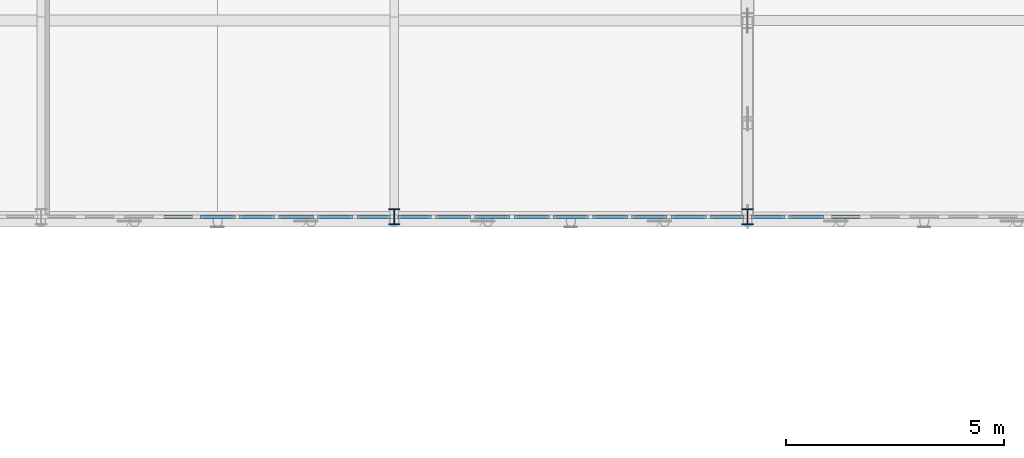
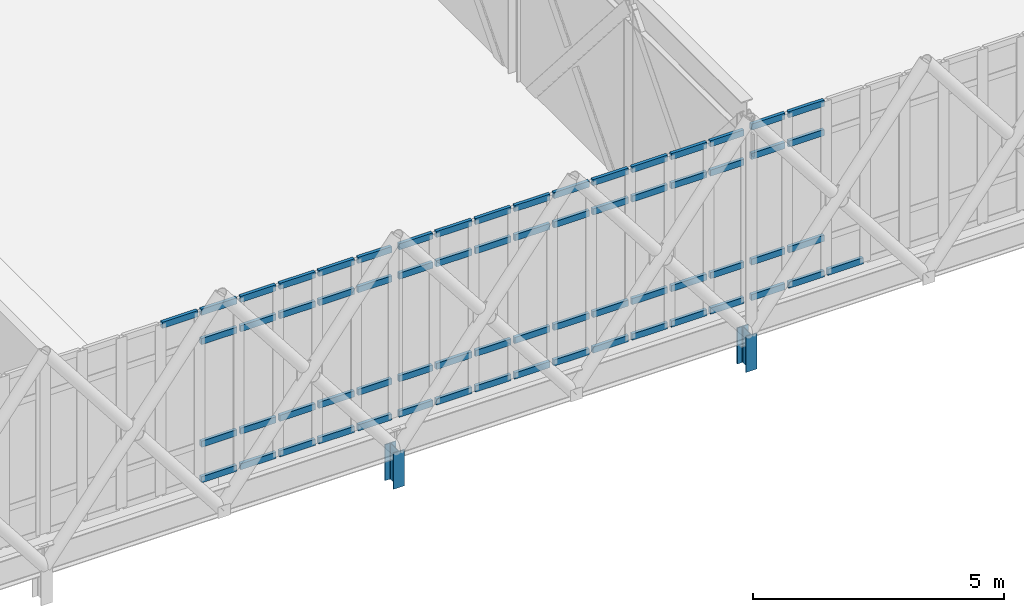
# One storey, part 46 of 107: 68 members, 3 elements without a shape of their own.
"""IFC4 building model written with IfcOpenShell, lengths in metres."""

from ifc_helpers import new_model, si_unit, direction, frame, origin, origin_2d, place, context, subcontext, project, spatial, rectangle, i_section, extrude, material, material_profile, profile_set, type_object, element, aggregate, save


model = new_model("IFC4")

# Units and contexts
model_context = context("Model", 3, precision=1e-05, world=origin(), true_north=direction((0.0, 1.0)))
body_context = subcontext(model_context, "Body", "Model", "MODEL_VIEW")
ifc_project = project(units=[si_unit("LENGTHUNIT", "METRE"), si_unit("AREAUNIT", "SQUARE_METRE"), si_unit("VOLUMEUNIT", "CUBIC_METRE"), si_unit("PLANEANGLEUNIT", "RADIAN"), si_unit("MASSUNIT", "GRAM", prefix="KILO")], contexts=[model_context])

# Site, building, storey
site_placement = place(None, origin())
site = spatial("IfcSite", under=ifc_project, at=site_placement, CompositionType="ELEMENT")
building_placement = place(site_placement, origin())
building = spatial("IfcBuilding", under=site, at=building_placement, Name="Tarnveldt Square Police Headquarters", CompositionType="ELEMENT")
storey_placement = place(building_placement, frame((0.0, 0.0, 14.699951171875)))
storey = spatial("IfcBuildingStorey", under=building, at=storey_placement, Name="L03", CompositionType="ELEMENT", Elevation=14.699951171875)

# Curtain wall, members
ifc_material_1 = material(Name="UL 752 Level III laminated ballistic vision glass", Category="glass")
curtain_wall_type_1 = type_object("IfcCurtainWallType", Name="CW-BL-810x414", PredefinedType="USERDEFINED", material=ifc_material_1)
curtain_wall_1_placement = place(storey_placement, origin())
curtain_wall_1 = element("IfcCurtainWall", 1, at=curtain_wall_1_placement, inside=storey, type_object=curtain_wall_type_1, Name="L03 Curtain Wall CW-L03-026", ObjectType="BALLISTIC CURTAIN WALL", PredefinedType="USERDEFINED")
ifc_material_2 = material(Name="Thermally broken anodised aluminium 6063-T6", Category="aluminium")
ifc_material_profile_1 = material_profile(ifc_material_2, rectangle(XDim=0.074951171875, YDim=0.14990234375, at=origin_2d()), Name="CW-T75x150")
ifc_profile_set_1 = profile_set([ifc_material_profile_1], Name="Thermally broken anodised aluminium 6063-T6")
member_type_1 = type_object("IfcMemberType", Name="CWT-75x150", PredefinedType="USERDEFINED", material=ifc_profile_set_1)
member_1_placement = place(storey_placement, frame((35.142578125, 7.0, 4.1064453125), z_axis=(1.0, 0.0, 0.0), x_axis=(0.0, 1.0, 0.0)))
member_1 = element("IfcMember", 2, at=member_1_placement, type_object=member_type_1, Name="CW-BL13 transom 4.4", ObjectType="TRANSOM", PredefinedType="USERDEFINED", context=body_context, shape_type="SweptSolid", body=[
    extrude(rectangle(XDim=0.074951171875, YDim=0.14990234375, at=origin_2d()), origin(), (0.0, 0.0, 1.0), 0.81494140625),
])
member_2_placement = place(storey_placement, frame((36.04248046875, 7.0, 0.03759765625), z_axis=(1.0, 0.0, 0.0), x_axis=(0.0, 1.0, 0.0)))
member_2 = element("IfcMember", 3, at=member_2_placement, type_object=member_type_1, Name="CW-BL13 transom 5.1", ObjectType="TRANSOM", PredefinedType="USERDEFINED", context=body_context, shape_type="SweptSolid", body=[
    extrude(rectangle(XDim=0.074951171875, YDim=0.14990234375, at=origin_2d()), origin(), (0.0, 0.0, 1.0), 0.81494140625),
])
member_3_placement = place(storey_placement, frame((36.04248046875, 7.0, 0.900146484375), z_axis=(1.0, 0.0, 0.0), x_axis=(0.0, 1.0, 0.0)))
member_3 = element("IfcMember", 4, at=member_3_placement, type_object=member_type_1, Name="CW-BL13 transom 5.2", ObjectType="TRANSOM", PredefinedType="USERDEFINED", context=body_context, shape_type="SweptSolid", body=[
    extrude(rectangle(XDim=0.074951171875, YDim=0.14990234375, at=origin_2d()), origin(), (0.0, 0.0, 1.0), 0.81494140625),
])
member_4_placement = place(storey_placement, frame((36.04248046875, 7.0, 3.39404296875), z_axis=(1.0, 0.0, 0.0), x_axis=(0.0, 1.0, 0.0)))
member_4 = element("IfcMember", 5, at=member_4_placement, type_object=member_type_1, Name="CW-BL13 transom 5.3", ObjectType="TRANSOM", PredefinedType="USERDEFINED", context=body_context, shape_type="SweptSolid", body=[
    extrude(rectangle(XDim=0.074951171875, YDim=0.14990234375, at=origin_2d()), origin(), (0.0, 0.0, 1.0), 0.81494140625),
])
member_5_placement = place(storey_placement, frame((36.04248046875, 7.0, 4.1064453125), z_axis=(1.0, 0.0, 0.0), x_axis=(0.0, 1.0, 0.0)))
member_5 = element("IfcMember", 6, at=member_5_placement, type_object=member_type_1, Name="CW-BL13 transom 5.4", ObjectType="TRANSOM", PredefinedType="USERDEFINED", context=body_context, shape_type="SweptSolid", body=[
    extrude(rectangle(XDim=0.074951171875, YDim=0.14990234375, at=origin_2d()), origin(), (0.0, 0.0, 1.0), 0.81494140625),
])
member_6_placement = place(storey_placement, frame((36.9423828125, 7.0, 0.03759765625), z_axis=(1.0, 0.0, 0.0), x_axis=(0.0, 1.0, 0.0)))
member_6 = element("IfcMember", 7, at=member_6_placement, type_object=member_type_1, Name="CW-BL13 transom 6.1", ObjectType="TRANSOM", PredefinedType="USERDEFINED", context=body_context, shape_type="SweptSolid", body=[
    extrude(rectangle(XDim=0.074951171875, YDim=0.14990234375, at=origin_2d()), origin(), (0.0, 0.0, 1.0), 0.815185546875),
])
member_7_placement = place(storey_placement, frame((36.9423828125, 7.0, 0.900146484375), z_axis=(1.0, 0.0, 0.0), x_axis=(0.0, 1.0, 0.0)))
member_7 = element("IfcMember", 8, at=member_7_placement, type_object=member_type_1, Name="CW-BL13 transom 6.2", ObjectType="TRANSOM", PredefinedType="USERDEFINED", context=body_context, shape_type="SweptSolid", body=[
    extrude(rectangle(XDim=0.074951171875, YDim=0.14990234375, at=origin_2d()), origin(), (0.0, 0.0, 1.0), 0.815185546875),
])
member_8_placement = place(storey_placement, frame((36.9423828125, 7.0, 3.39404296875), z_axis=(1.0, 0.0, 0.0), x_axis=(0.0, 1.0, 0.0)))
member_8 = element("IfcMember", 9, at=member_8_placement, type_object=member_type_1, Name="CW-BL13 transom 6.3", ObjectType="TRANSOM", PredefinedType="USERDEFINED", context=body_context, shape_type="SweptSolid", body=[
    extrude(rectangle(XDim=0.074951171875, YDim=0.14990234375, at=origin_2d()), origin(), (0.0, 0.0, 1.0), 0.815185546875),
])
member_9_placement = place(storey_placement, frame((36.9423828125, 7.0, 4.1064453125), z_axis=(1.0, 0.0, 0.0), x_axis=(0.0, 1.0, 0.0)))
member_9 = element("IfcMember", 10, at=member_9_placement, type_object=member_type_1, Name="CW-BL13 transom 6.4", ObjectType="TRANSOM", PredefinedType="USERDEFINED", context=body_context, shape_type="SweptSolid", body=[
    extrude(rectangle(XDim=0.074951171875, YDim=0.14990234375, at=origin_2d()), origin(), (0.0, 0.0, 1.0), 0.815185546875),
])
member_10_placement = place(storey_placement, frame((37.842529296875, 7.0, 0.03759765625), z_axis=(1.0, 0.0, 0.0), x_axis=(0.0, 1.0, 0.0)))
member_10 = element("IfcMember", 11, at=member_10_placement, type_object=member_type_1, Name="CW-BL13 transom 7.1", ObjectType="TRANSOM", PredefinedType="USERDEFINED", context=body_context, shape_type="SweptSolid", body=[
    extrude(rectangle(XDim=0.074951171875, YDim=0.14990234375, at=origin_2d()), origin(), (0.0, 0.0, 1.0), 0.81494140625),
])
member_11_placement = place(storey_placement, frame((37.842529296875, 7.0, 0.900146484375), z_axis=(1.0, 0.0, 0.0), x_axis=(0.0, 1.0, 0.0)))
member_11 = element("IfcMember", 12, at=member_11_placement, type_object=member_type_1, Name="CW-BL13 transom 7.2", ObjectType="TRANSOM", PredefinedType="USERDEFINED", context=body_context, shape_type="SweptSolid", body=[
    extrude(rectangle(XDim=0.074951171875, YDim=0.14990234375, at=origin_2d()), origin(), (0.0, 0.0, 1.0), 0.81494140625),
])
member_12_placement = place(storey_placement, frame((37.842529296875, 7.0, 3.39404296875), z_axis=(1.0, 0.0, 0.0), x_axis=(0.0, 1.0, 0.0)))
member_12 = element("IfcMember", 13, at=member_12_placement, type_object=member_type_1, Name="CW-BL13 transom 7.3", ObjectType="TRANSOM", PredefinedType="USERDEFINED", context=body_context, shape_type="SweptSolid", body=[
    extrude(rectangle(XDim=0.074951171875, YDim=0.14990234375, at=origin_2d()), origin(), (0.0, 0.0, 1.0), 0.81494140625),
])
member_13_placement = place(storey_placement, frame((37.842529296875, 7.0, 4.1064453125), z_axis=(1.0, 0.0, 0.0), x_axis=(0.0, 1.0, 0.0)))
member_13 = element("IfcMember", 14, at=member_13_placement, type_object=member_type_1, Name="CW-BL13 transom 7.4", ObjectType="TRANSOM", PredefinedType="USERDEFINED", context=body_context, shape_type="SweptSolid", body=[
    extrude(rectangle(XDim=0.074951171875, YDim=0.14990234375, at=origin_2d()), origin(), (0.0, 0.0, 1.0), 0.81494140625),
])
member_14_placement = place(storey_placement, frame((38.742431640625, 7.0, 0.03759765625), z_axis=(1.0, 0.0, 0.0), x_axis=(0.0, 1.0, 0.0)))
member_14 = element("IfcMember", 15, at=member_14_placement, type_object=member_type_1, Name="CW-BL13 transom 8.1", ObjectType="TRANSOM", PredefinedType="USERDEFINED", context=body_context, shape_type="SweptSolid", body=[
    extrude(rectangle(XDim=0.074951171875, YDim=0.14990234375, at=origin_2d()), origin(), (0.0, 0.0, 1.0), 0.815185546875),
])
member_15_placement = place(storey_placement, frame((38.742431640625, 7.0, 0.900146484375), z_axis=(1.0, 0.0, 0.0), x_axis=(0.0, 1.0, 0.0)))
member_15 = element("IfcMember", 16, at=member_15_placement, type_object=member_type_1, Name="CW-BL13 transom 8.2", ObjectType="TRANSOM", PredefinedType="USERDEFINED", context=body_context, shape_type="SweptSolid", body=[
    extrude(rectangle(XDim=0.074951171875, YDim=0.14990234375, at=origin_2d()), origin(), (0.0, 0.0, 1.0), 0.815185546875),
])
member_16_placement = place(storey_placement, frame((38.742431640625, 7.0, 3.39404296875), z_axis=(1.0, 0.0, 0.0), x_axis=(0.0, 1.0, 0.0)))
member_16 = element("IfcMember", 17, at=member_16_placement, type_object=member_type_1, Name="CW-BL13 transom 8.3", ObjectType="TRANSOM", PredefinedType="USERDEFINED", context=body_context, shape_type="SweptSolid", body=[
    extrude(rectangle(XDim=0.074951171875, YDim=0.14990234375, at=origin_2d()), origin(), (0.0, 0.0, 1.0), 0.815185546875),
])
member_17_placement = place(storey_placement, frame((38.742431640625, 7.0, 4.1064453125), z_axis=(1.0, 0.0, 0.0), x_axis=(0.0, 1.0, 0.0)))
member_17 = element("IfcMember", 18, at=member_17_placement, type_object=member_type_1, Name="CW-BL13 transom 8.4", ObjectType="TRANSOM", PredefinedType="USERDEFINED", context=body_context, shape_type="SweptSolid", body=[
    extrude(rectangle(XDim=0.074951171875, YDim=0.14990234375, at=origin_2d()), origin(), (0.0, 0.0, 1.0), 0.815185546875),
])
member_18_placement = place(storey_placement, frame((39.642578125, 7.0, 0.03759765625), z_axis=(1.0, 0.0, 0.0), x_axis=(0.0, 1.0, 0.0)))
member_18 = element("IfcMember", 19, at=member_18_placement, type_object=member_type_1, Name="CW-BL13 transom 9.1", ObjectType="TRANSOM", PredefinedType="USERDEFINED", context=body_context, shape_type="SweptSolid", body=[
    extrude(rectangle(XDim=0.074951171875, YDim=0.14990234375, at=origin_2d()), origin(), (0.0, 0.0, 1.0), 0.7724609375),
])
member_19_placement = place(storey_placement, frame((39.642578125, 7.0, 0.900146484375), z_axis=(1.0, 0.0, 0.0), x_axis=(0.0, 1.0, 0.0)))
member_19 = element("IfcMember", 20, at=member_19_placement, type_object=member_type_1, Name="CW-BL13 transom 9.2", ObjectType="TRANSOM", PredefinedType="USERDEFINED", context=body_context, shape_type="SweptSolid", body=[
    extrude(rectangle(XDim=0.074951171875, YDim=0.14990234375, at=origin_2d()), origin(), (0.0, 0.0, 1.0), 0.7724609375),
])
member_20_placement = place(storey_placement, frame((39.642578125, 7.0, 3.39404296875), z_axis=(1.0, 0.0, 0.0), x_axis=(0.0, 1.0, 0.0)))
member_20 = element("IfcMember", 21, at=member_20_placement, type_object=member_type_1, Name="CW-BL13 transom 9.3", ObjectType="TRANSOM", PredefinedType="USERDEFINED", context=body_context, shape_type="SweptSolid", body=[
    extrude(rectangle(XDim=0.074951171875, YDim=0.14990234375, at=origin_2d()), origin(), (0.0, 0.0, 1.0), 0.7724609375),
])
member_21_placement = place(storey_placement, frame((39.642578125, 7.0, 4.1064453125), z_axis=(1.0, 0.0, 0.0), x_axis=(0.0, 1.0, 0.0)))
member_21 = element("IfcMember", 22, at=member_21_placement, type_object=member_type_1, Name="CW-BL13 transom 9.4", ObjectType="TRANSOM", PredefinedType="USERDEFINED", context=body_context, shape_type="SweptSolid", body=[
    extrude(rectangle(XDim=0.074951171875, YDim=0.14990234375, at=origin_2d()), origin(), (0.0, 0.0, 1.0), 0.7724609375),
])
aggregate(curtain_wall_1, [member_1, member_2, member_3, member_4, member_5, member_6, member_7, member_8, member_9, member_10, member_11, member_12, member_13, member_14, member_15, member_16, member_17, member_18, member_19, member_20, member_21])

curtain_wall_2_placement = place(storey_placement, origin())
curtain_wall_2 = element("IfcCurtainWall", 23, at=curtain_wall_2_placement, inside=storey, type_object=curtain_wall_type_1, Name="L03 Curtain Wall CW-L03-027", ObjectType="BALLISTIC CURTAIN WALL", PredefinedType="USERDEFINED")
member_22_placement = place(storey_placement, frame((40.5849609375, 7.0, 0.03759765625), z_axis=(1.0, 0.0, 0.0), x_axis=(0.0, 1.0, 0.0)))
member_22 = element("IfcMember", 24, at=member_22_placement, type_object=member_type_1, Name="CW-BL13 transom 1.1", ObjectType="TRANSOM", PredefinedType="USERDEFINED", context=body_context, shape_type="SweptSolid", body=[
    extrude(rectangle(XDim=0.074951171875, YDim=0.14990234375, at=origin_2d()), origin(), (0.0, 0.0, 1.0), 0.7724609375),
])
member_23_placement = place(storey_placement, frame((40.5849609375, 7.0, 0.900146484375), z_axis=(1.0, 0.0, 0.0), x_axis=(0.0, 1.0, 0.0)))
member_23 = element("IfcMember", 25, at=member_23_placement, type_object=member_type_1, Name="CW-BL13 transom 1.2", ObjectType="TRANSOM", PredefinedType="USERDEFINED", context=body_context, shape_type="SweptSolid", body=[
    extrude(rectangle(XDim=0.074951171875, YDim=0.14990234375, at=origin_2d()), origin(), (0.0, 0.0, 1.0), 0.7724609375),
])
member_24_placement = place(storey_placement, frame((40.5849609375, 7.0, 3.39404296875), z_axis=(1.0, 0.0, 0.0), x_axis=(0.0, 1.0, 0.0)))
member_24 = element("IfcMember", 26, at=member_24_placement, type_object=member_type_1, Name="CW-BL13 transom 1.3", ObjectType="TRANSOM", PredefinedType="USERDEFINED", context=body_context, shape_type="SweptSolid", body=[
    extrude(rectangle(XDim=0.074951171875, YDim=0.14990234375, at=origin_2d()), origin(), (0.0, 0.0, 1.0), 0.7724609375),
])
member_25_placement = place(storey_placement, frame((40.5849609375, 7.0, 4.1064453125), z_axis=(1.0, 0.0, 0.0), x_axis=(0.0, 1.0, 0.0)))
member_25 = element("IfcMember", 27, at=member_25_placement, type_object=member_type_1, Name="CW-BL13 transom 1.4", ObjectType="TRANSOM", PredefinedType="USERDEFINED", context=body_context, shape_type="SweptSolid", body=[
    extrude(rectangle(XDim=0.074951171875, YDim=0.14990234375, at=origin_2d()), origin(), (0.0, 0.0, 1.0), 0.7724609375),
])
member_26_placement = place(storey_placement, frame((41.4423828125, 7.0, 0.03759765625), z_axis=(1.0, 0.0, 0.0), x_axis=(0.0, 1.0, 0.0)))
member_26 = element("IfcMember", 28, at=member_26_placement, type_object=member_type_1, Name="CW-BL13 transom 2.1", ObjectType="TRANSOM", PredefinedType="USERDEFINED", context=body_context, shape_type="SweptSolid", body=[
    extrude(rectangle(XDim=0.074951171875, YDim=0.14990234375, at=origin_2d()), origin(), (0.0, 0.0, 1.0), 0.815185546875),
])
member_27_placement = place(storey_placement, frame((41.4423828125, 7.0, 0.900146484375), z_axis=(1.0, 0.0, 0.0), x_axis=(0.0, 1.0, 0.0)))
member_27 = element("IfcMember", 29, at=member_27_placement, type_object=member_type_1, Name="CW-BL13 transom 2.2", ObjectType="TRANSOM", PredefinedType="USERDEFINED", context=body_context, shape_type="SweptSolid", body=[
    extrude(rectangle(XDim=0.074951171875, YDim=0.14990234375, at=origin_2d()), origin(), (0.0, 0.0, 1.0), 0.815185546875),
])
member_28_placement = place(storey_placement, frame((41.4423828125, 7.0, 3.39404296875), z_axis=(1.0, 0.0, 0.0), x_axis=(0.0, 1.0, 0.0)))
member_28 = element("IfcMember", 30, at=member_28_placement, type_object=member_type_1, Name="CW-BL13 transom 2.3", ObjectType="TRANSOM", PredefinedType="USERDEFINED", context=body_context, shape_type="SweptSolid", body=[
    extrude(rectangle(XDim=0.074951171875, YDim=0.14990234375, at=origin_2d()), origin(), (0.0, 0.0, 1.0), 0.815185546875),
])
member_29_placement = place(storey_placement, frame((41.4423828125, 7.0, 4.1064453125), z_axis=(1.0, 0.0, 0.0), x_axis=(0.0, 1.0, 0.0)))
member_29 = element("IfcMember", 31, at=member_29_placement, type_object=member_type_1, Name="CW-BL13 transom 2.4", ObjectType="TRANSOM", PredefinedType="USERDEFINED", context=body_context, shape_type="SweptSolid", body=[
    extrude(rectangle(XDim=0.074951171875, YDim=0.14990234375, at=origin_2d()), origin(), (0.0, 0.0, 1.0), 0.815185546875),
])
member_30_placement = place(storey_placement, frame((42.342529296875, 7.0, 0.03759765625), z_axis=(1.0, 0.0, 0.0), x_axis=(0.0, 1.0, 0.0)))
member_30 = element("IfcMember", 32, at=member_30_placement, type_object=member_type_1, Name="CW-BL13 transom 3.1", ObjectType="TRANSOM", PredefinedType="USERDEFINED", context=body_context, shape_type="SweptSolid", body=[
    extrude(rectangle(XDim=0.074951171875, YDim=0.14990234375, at=origin_2d()), origin(), (0.0, 0.0, 1.0), 0.81494140625),
])
member_31_placement = place(storey_placement, frame((42.342529296875, 7.0, 0.900146484375), z_axis=(1.0, 0.0, 0.0), x_axis=(0.0, 1.0, 0.0)))
member_31 = element("IfcMember", 33, at=member_31_placement, type_object=member_type_1, Name="CW-BL13 transom 3.2", ObjectType="TRANSOM", PredefinedType="USERDEFINED", context=body_context, shape_type="SweptSolid", body=[
    extrude(rectangle(XDim=0.074951171875, YDim=0.14990234375, at=origin_2d()), origin(), (0.0, 0.0, 1.0), 0.81494140625),
])
member_32_placement = place(storey_placement, frame((42.342529296875, 7.0, 3.39404296875), z_axis=(1.0, 0.0, 0.0), x_axis=(0.0, 1.0, 0.0)))
member_32 = element("IfcMember", 34, at=member_32_placement, type_object=member_type_1, Name="CW-BL13 transom 3.3", ObjectType="TRANSOM", PredefinedType="USERDEFINED", context=body_context, shape_type="SweptSolid", body=[
    extrude(rectangle(XDim=0.074951171875, YDim=0.14990234375, at=origin_2d()), origin(), (0.0, 0.0, 1.0), 0.81494140625),
])
member_33_placement = place(storey_placement, frame((42.342529296875, 7.0, 4.1064453125), z_axis=(1.0, 0.0, 0.0), x_axis=(0.0, 1.0, 0.0)))
member_33 = element("IfcMember", 35, at=member_33_placement, type_object=member_type_1, Name="CW-BL13 transom 3.4", ObjectType="TRANSOM", PredefinedType="USERDEFINED", context=body_context, shape_type="SweptSolid", body=[
    extrude(rectangle(XDim=0.074951171875, YDim=0.14990234375, at=origin_2d()), origin(), (0.0, 0.0, 1.0), 0.81494140625),
])
member_34_placement = place(storey_placement, frame((43.242431640625, 7.0, 0.03759765625), z_axis=(1.0, 0.0, 0.0), x_axis=(0.0, 1.0, 0.0)))
member_34 = element("IfcMember", 36, at=member_34_placement, type_object=member_type_1, Name="CW-BL13 transom 4.1", ObjectType="TRANSOM", PredefinedType="USERDEFINED", context=body_context, shape_type="SweptSolid", body=[
    extrude(rectangle(XDim=0.074951171875, YDim=0.14990234375, at=origin_2d()), origin(), (0.0, 0.0, 1.0), 0.815185546875),
])
member_35_placement = place(storey_placement, frame((43.242431640625, 7.0, 0.900146484375), z_axis=(1.0, 0.0, 0.0), x_axis=(0.0, 1.0, 0.0)))
member_35 = element("IfcMember", 37, at=member_35_placement, type_object=member_type_1, Name="CW-BL13 transom 4.2", ObjectType="TRANSOM", PredefinedType="USERDEFINED", context=body_context, shape_type="SweptSolid", body=[
    extrude(rectangle(XDim=0.074951171875, YDim=0.14990234375, at=origin_2d()), origin(), (0.0, 0.0, 1.0), 0.815185546875),
])
member_36_placement = place(storey_placement, frame((43.242431640625, 7.0, 3.39404296875), z_axis=(1.0, 0.0, 0.0), x_axis=(0.0, 1.0, 0.0)))
member_36 = element("IfcMember", 38, at=member_36_placement, type_object=member_type_1, Name="CW-BL13 transom 4.3", ObjectType="TRANSOM", PredefinedType="USERDEFINED", context=body_context, shape_type="SweptSolid", body=[
    extrude(rectangle(XDim=0.074951171875, YDim=0.14990234375, at=origin_2d()), origin(), (0.0, 0.0, 1.0), 0.815185546875),
])
member_37_placement = place(storey_placement, frame((43.242431640625, 7.0, 4.1064453125), z_axis=(1.0, 0.0, 0.0), x_axis=(0.0, 1.0, 0.0)))
member_37 = element("IfcMember", 39, at=member_37_placement, type_object=member_type_1, Name="CW-BL13 transom 4.4", ObjectType="TRANSOM", PredefinedType="USERDEFINED", context=body_context, shape_type="SweptSolid", body=[
    extrude(rectangle(XDim=0.074951171875, YDim=0.14990234375, at=origin_2d()), origin(), (0.0, 0.0, 1.0), 0.815185546875),
])
member_38_placement = place(storey_placement, frame((44.142578125, 7.0, 0.03759765625), z_axis=(1.0, 0.0, 0.0), x_axis=(0.0, 1.0, 0.0)))
member_38 = element("IfcMember", 40, at=member_38_placement, type_object=member_type_1, Name="CW-BL13 transom 5.1", ObjectType="TRANSOM", PredefinedType="USERDEFINED", context=body_context, shape_type="SweptSolid", body=[
    extrude(rectangle(XDim=0.074951171875, YDim=0.14990234375, at=origin_2d()), origin(), (0.0, 0.0, 1.0), 0.81494140625),
])
member_39_placement = place(storey_placement, frame((44.142578125, 7.0, 0.900146484375), z_axis=(1.0, 0.0, 0.0), x_axis=(0.0, 1.0, 0.0)))
member_39 = element("IfcMember", 41, at=member_39_placement, type_object=member_type_1, Name="CW-BL13 transom 5.2", ObjectType="TRANSOM", PredefinedType="USERDEFINED", context=body_context, shape_type="SweptSolid", body=[
    extrude(rectangle(XDim=0.074951171875, YDim=0.14990234375, at=origin_2d()), origin(), (0.0, 0.0, 1.0), 0.81494140625),
])
member_40_placement = place(storey_placement, frame((44.142578125, 7.0, 3.39404296875), z_axis=(1.0, 0.0, 0.0), x_axis=(0.0, 1.0, 0.0)))
member_40 = element("IfcMember", 42, at=member_40_placement, type_object=member_type_1, Name="CW-BL13 transom 5.3", ObjectType="TRANSOM", PredefinedType="USERDEFINED", context=body_context, shape_type="SweptSolid", body=[
    extrude(rectangle(XDim=0.074951171875, YDim=0.14990234375, at=origin_2d()), origin(), (0.0, 0.0, 1.0), 0.81494140625),
])
member_41_placement = place(storey_placement, frame((44.142578125, 7.0, 4.1064453125), z_axis=(1.0, 0.0, 0.0), x_axis=(0.0, 1.0, 0.0)))
member_41 = element("IfcMember", 43, at=member_41_placement, type_object=member_type_1, Name="CW-BL13 transom 5.4", ObjectType="TRANSOM", PredefinedType="USERDEFINED", context=body_context, shape_type="SweptSolid", body=[
    extrude(rectangle(XDim=0.074951171875, YDim=0.14990234375, at=origin_2d()), origin(), (0.0, 0.0, 1.0), 0.81494140625),
])
member_42_placement = place(storey_placement, frame((45.04248046875, 7.0, 0.03759765625), z_axis=(1.0, 0.0, 0.0), x_axis=(0.0, 1.0, 0.0)))
member_42 = element("IfcMember", 44, at=member_42_placement, type_object=member_type_1, Name="CW-BL13 transom 6.1", ObjectType="TRANSOM", PredefinedType="USERDEFINED", context=body_context, shape_type="SweptSolid", body=[
    extrude(rectangle(XDim=0.074951171875, YDim=0.14990234375, at=origin_2d()), origin(), (0.0, 0.0, 1.0), 0.81494140625),
])
member_43_placement = place(storey_placement, frame((45.04248046875, 7.0, 0.900146484375), z_axis=(1.0, 0.0, 0.0), x_axis=(0.0, 1.0, 0.0)))
member_43 = element("IfcMember", 45, at=member_43_placement, type_object=member_type_1, Name="CW-BL13 transom 6.2", ObjectType="TRANSOM", PredefinedType="USERDEFINED", context=body_context, shape_type="SweptSolid", body=[
    extrude(rectangle(XDim=0.074951171875, YDim=0.14990234375, at=origin_2d()), origin(), (0.0, 0.0, 1.0), 0.81494140625),
])
member_44_placement = place(storey_placement, frame((45.04248046875, 7.0, 3.39404296875), z_axis=(1.0, 0.0, 0.0), x_axis=(0.0, 1.0, 0.0)))
member_44 = element("IfcMember", 46, at=member_44_placement, type_object=member_type_1, Name="CW-BL13 transom 6.3", ObjectType="TRANSOM", PredefinedType="USERDEFINED", context=body_context, shape_type="SweptSolid", body=[
    extrude(rectangle(XDim=0.074951171875, YDim=0.14990234375, at=origin_2d()), origin(), (0.0, 0.0, 1.0), 0.81494140625),
])
member_45_placement = place(storey_placement, frame((45.04248046875, 7.0, 4.1064453125), z_axis=(1.0, 0.0, 0.0), x_axis=(0.0, 1.0, 0.0)))
member_45 = element("IfcMember", 47, at=member_45_placement, type_object=member_type_1, Name="CW-BL13 transom 6.4", ObjectType="TRANSOM", PredefinedType="USERDEFINED", context=body_context, shape_type="SweptSolid", body=[
    extrude(rectangle(XDim=0.074951171875, YDim=0.14990234375, at=origin_2d()), origin(), (0.0, 0.0, 1.0), 0.81494140625),
])
member_46_placement = place(storey_placement, frame((45.9423828125, 7.0, 0.03759765625), z_axis=(1.0, 0.0, 0.0), x_axis=(0.0, 1.0, 0.0)))
member_46 = element("IfcMember", 48, at=member_46_placement, type_object=member_type_1, Name="CW-BL13 transom 7.1", ObjectType="TRANSOM", PredefinedType="USERDEFINED", context=body_context, shape_type="SweptSolid", body=[
    extrude(rectangle(XDim=0.074951171875, YDim=0.14990234375, at=origin_2d()), origin(), (0.0, 0.0, 1.0), 0.815185546875),
])
member_47_placement = place(storey_placement, frame((45.9423828125, 7.0, 0.900146484375), z_axis=(1.0, 0.0, 0.0), x_axis=(0.0, 1.0, 0.0)))
member_47 = element("IfcMember", 49, at=member_47_placement, type_object=member_type_1, Name="CW-BL13 transom 7.2", ObjectType="TRANSOM", PredefinedType="USERDEFINED", context=body_context, shape_type="SweptSolid", body=[
    extrude(rectangle(XDim=0.074951171875, YDim=0.14990234375, at=origin_2d()), origin(), (0.0, 0.0, 1.0), 0.815185546875),
])
member_48_placement = place(storey_placement, frame((45.9423828125, 7.0, 3.39404296875), z_axis=(1.0, 0.0, 0.0), x_axis=(0.0, 1.0, 0.0)))
member_48 = element("IfcMember", 50, at=member_48_placement, type_object=member_type_1, Name="CW-BL13 transom 7.3", ObjectType="TRANSOM", PredefinedType="USERDEFINED", context=body_context, shape_type="SweptSolid", body=[
    extrude(rectangle(XDim=0.074951171875, YDim=0.14990234375, at=origin_2d()), origin(), (0.0, 0.0, 1.0), 0.815185546875),
])
member_49_placement = place(storey_placement, frame((45.9423828125, 7.0, 4.1064453125), z_axis=(1.0, 0.0, 0.0), x_axis=(0.0, 1.0, 0.0)))
member_49 = element("IfcMember", 51, at=member_49_placement, type_object=member_type_1, Name="CW-BL13 transom 7.4", ObjectType="TRANSOM", PredefinedType="USERDEFINED", context=body_context, shape_type="SweptSolid", body=[
    extrude(rectangle(XDim=0.074951171875, YDim=0.14990234375, at=origin_2d()), origin(), (0.0, 0.0, 1.0), 0.815185546875),
])
member_50_placement = place(storey_placement, frame((46.842529296875, 7.0, 0.03759765625), z_axis=(1.0, 0.0, 0.0), x_axis=(0.0, 1.0, 0.0)))
member_50 = element("IfcMember", 52, at=member_50_placement, type_object=member_type_1, Name="CW-BL13 transom 8.1", ObjectType="TRANSOM", PredefinedType="USERDEFINED", context=body_context, shape_type="SweptSolid", body=[
    extrude(rectangle(XDim=0.074951171875, YDim=0.14990234375, at=origin_2d()), origin(), (0.0, 0.0, 1.0), 0.81494140625),
])
member_51_placement = place(storey_placement, frame((46.842529296875, 7.0, 0.900146484375), z_axis=(1.0, 0.0, 0.0), x_axis=(0.0, 1.0, 0.0)))
member_51 = element("IfcMember", 53, at=member_51_placement, type_object=member_type_1, Name="CW-BL13 transom 8.2", ObjectType="TRANSOM", PredefinedType="USERDEFINED", context=body_context, shape_type="SweptSolid", body=[
    extrude(rectangle(XDim=0.074951171875, YDim=0.14990234375, at=origin_2d()), origin(), (0.0, 0.0, 1.0), 0.81494140625),
])
member_52_placement = place(storey_placement, frame((46.842529296875, 7.0, 3.39404296875), z_axis=(1.0, 0.0, 0.0), x_axis=(0.0, 1.0, 0.0)))
member_52 = element("IfcMember", 54, at=member_52_placement, type_object=member_type_1, Name="CW-BL13 transom 8.3", ObjectType="TRANSOM", PredefinedType="USERDEFINED", context=body_context, shape_type="SweptSolid", body=[
    extrude(rectangle(XDim=0.074951171875, YDim=0.14990234375, at=origin_2d()), origin(), (0.0, 0.0, 1.0), 0.81494140625),
])
member_53_placement = place(storey_placement, frame((46.842529296875, 7.0, 4.1064453125), z_axis=(1.0, 0.0, 0.0), x_axis=(0.0, 1.0, 0.0)))
member_53 = element("IfcMember", 55, at=member_53_placement, type_object=member_type_1, Name="CW-BL13 transom 8.4", ObjectType="TRANSOM", PredefinedType="USERDEFINED", context=body_context, shape_type="SweptSolid", body=[
    extrude(rectangle(XDim=0.074951171875, YDim=0.14990234375, at=origin_2d()), origin(), (0.0, 0.0, 1.0), 0.81494140625),
])
member_54_placement = place(storey_placement, frame((47.742431640625, 7.0, 0.03759765625), z_axis=(1.0, 0.0, 0.0), x_axis=(0.0, 1.0, 0.0)))
member_54 = element("IfcMember", 56, at=member_54_placement, type_object=member_type_1, Name="CW-BL13 transom 9.1", ObjectType="TRANSOM", PredefinedType="USERDEFINED", context=body_context, shape_type="SweptSolid", body=[
    extrude(rectangle(XDim=0.074951171875, YDim=0.14990234375, at=origin_2d()), origin(), (0.0, 0.0, 1.0), 0.7724609375),
])
member_55_placement = place(storey_placement, frame((47.742431640625, 7.0, 0.900146484375), z_axis=(1.0, 0.0, 0.0), x_axis=(0.0, 1.0, 0.0)))
member_55 = element("IfcMember", 57, at=member_55_placement, type_object=member_type_1, Name="CW-BL13 transom 9.2", ObjectType="TRANSOM", PredefinedType="USERDEFINED", context=body_context, shape_type="SweptSolid", body=[
    extrude(rectangle(XDim=0.074951171875, YDim=0.14990234375, at=origin_2d()), origin(), (0.0, 0.0, 1.0), 0.7724609375),
])
member_56_placement = place(storey_placement, frame((47.742431640625, 7.0, 3.39404296875), z_axis=(1.0, 0.0, 0.0), x_axis=(0.0, 1.0, 0.0)))
member_56 = element("IfcMember", 58, at=member_56_placement, type_object=member_type_1, Name="CW-BL13 transom 9.3", ObjectType="TRANSOM", PredefinedType="USERDEFINED", context=body_context, shape_type="SweptSolid", body=[
    extrude(rectangle(XDim=0.074951171875, YDim=0.14990234375, at=origin_2d()), origin(), (0.0, 0.0, 1.0), 0.7724609375),
])
member_57_placement = place(storey_placement, frame((47.742431640625, 7.0, 4.1064453125), z_axis=(1.0, 0.0, 0.0), x_axis=(0.0, 1.0, 0.0)))
member_57 = element("IfcMember", 59, at=member_57_placement, type_object=member_type_1, Name="CW-BL13 transom 9.4", ObjectType="TRANSOM", PredefinedType="USERDEFINED", context=body_context, shape_type="SweptSolid", body=[
    extrude(rectangle(XDim=0.074951171875, YDim=0.14990234375, at=origin_2d()), origin(), (0.0, 0.0, 1.0), 0.7724609375),
])
aggregate(curtain_wall_2, [member_22, member_23, member_24, member_25, member_26, member_27, member_28, member_29, member_30, member_31, member_32, member_33, member_34, member_35, member_36, member_37, member_38, member_39, member_40, member_41, member_42, member_43, member_44, member_45, member_46, member_47, member_48, member_49, member_50, member_51, member_52, member_53, member_54, member_55, member_56, member_57])

curtain_wall_type_2 = type_object("IfcCurtainWallType", Name="CW-BL-810x422", PredefinedType="USERDEFINED", material=ifc_material_1)
curtain_wall_3_placement = place(storey_placement, origin())
curtain_wall_3 = element("IfcCurtainWall", 60, at=curtain_wall_3_placement, inside=storey, type_object=curtain_wall_type_2, Name="L03 Curtain Wall CW-L03-028", ObjectType="BALLISTIC CURTAIN WALL", PredefinedType="USERDEFINED")
member_58_placement = place(storey_placement, frame((48.68505859375, 7.0, 0.03759765625), z_axis=(1.0, 0.0, 0.0), x_axis=(0.0, 1.0, 0.0)))
member_58 = element("IfcMember", 61, at=member_58_placement, type_object=member_type_1, Name="CW-BL12 transom 1.1", ObjectType="TRANSOM", PredefinedType="USERDEFINED", context=body_context, shape_type="SweptSolid", body=[
    extrude(rectangle(XDim=0.074951171875, YDim=0.14990234375, at=origin_2d()), origin(), (0.0, 0.0, 1.0), 0.7724609375),
])
member_59_placement = place(storey_placement, frame((48.68505859375, 7.0, 0.900146484375), z_axis=(1.0, 0.0, 0.0), x_axis=(0.0, 1.0, 0.0)))
member_59 = element("IfcMember", 62, at=member_59_placement, type_object=member_type_1, Name="CW-BL12 transom 1.2", ObjectType="TRANSOM", PredefinedType="USERDEFINED", context=body_context, shape_type="SweptSolid", body=[
    extrude(rectangle(XDim=0.074951171875, YDim=0.14990234375, at=origin_2d()), origin(), (0.0, 0.0, 1.0), 0.7724609375),
])
member_60_placement = place(storey_placement, frame((48.68505859375, 7.0, 3.469970703125), z_axis=(1.0, 0.0, 0.0), x_axis=(0.0, 1.0, 0.0)))
member_60 = element("IfcMember", 63, at=member_60_placement, type_object=member_type_1, Name="CW-BL12 transom 1.3", ObjectType="TRANSOM", PredefinedType="USERDEFINED", context=body_context, shape_type="SweptSolid", body=[
    extrude(rectangle(XDim=0.074951171875, YDim=0.14990234375, at=origin_2d()), origin(), (0.0, 0.0, 1.0), 0.7724609375),
])
member_61_placement = place(storey_placement, frame((48.68505859375, 7.0, 4.1826171875), z_axis=(1.0, 0.0, 0.0), x_axis=(0.0, 1.0, 0.0)))
member_61 = element("IfcMember", 64, at=member_61_placement, type_object=member_type_1, Name="CW-BL12 transom 1.4", ObjectType="TRANSOM", PredefinedType="USERDEFINED", context=body_context, shape_type="SweptSolid", body=[
    extrude(rectangle(XDim=0.074951171875, YDim=0.14990234375, at=origin_2d()), origin(), (0.0, 0.0, 1.0), 0.7724609375),
])
member_62_placement = place(storey_placement, frame((49.54248046875, 7.0, 0.03759765625), z_axis=(1.0, 0.0, 0.0), x_axis=(0.0, 1.0, 0.0)))
member_62 = element("IfcMember", 65, at=member_62_placement, type_object=member_type_1, Name="CW-BL12 transom 2.1", ObjectType="TRANSOM", PredefinedType="USERDEFINED", context=body_context, shape_type="SweptSolid", body=[
    extrude(rectangle(XDim=0.074951171875, YDim=0.14990234375, at=origin_2d()), origin(), (0.0, 0.0, 1.0), 0.81494140625),
])
member_63_placement = place(storey_placement, frame((49.54248046875, 7.0, 0.900146484375), z_axis=(1.0, 0.0, 0.0), x_axis=(0.0, 1.0, 0.0)))
member_63 = element("IfcMember", 66, at=member_63_placement, type_object=member_type_1, Name="CW-BL12 transom 2.2", ObjectType="TRANSOM", PredefinedType="USERDEFINED", context=body_context, shape_type="SweptSolid", body=[
    extrude(rectangle(XDim=0.074951171875, YDim=0.14990234375, at=origin_2d()), origin(), (0.0, 0.0, 1.0), 0.81494140625),
])
member_64_placement = place(storey_placement, frame((49.54248046875, 7.0, 3.469970703125), z_axis=(1.0, 0.0, 0.0), x_axis=(0.0, 1.0, 0.0)))
member_64 = element("IfcMember", 67, at=member_64_placement, type_object=member_type_1, Name="CW-BL12 transom 2.3", ObjectType="TRANSOM", PredefinedType="USERDEFINED", context=body_context, shape_type="SweptSolid", body=[
    extrude(rectangle(XDim=0.074951171875, YDim=0.14990234375, at=origin_2d()), origin(), (0.0, 0.0, 1.0), 0.81494140625),
])
member_65_placement = place(storey_placement, frame((49.54248046875, 7.0, 4.1826171875), z_axis=(1.0, 0.0, 0.0), x_axis=(0.0, 1.0, 0.0)))
member_65 = element("IfcMember", 68, at=member_65_placement, type_object=member_type_1, Name="CW-BL12 transom 2.4", ObjectType="TRANSOM", PredefinedType="USERDEFINED", context=body_context, shape_type="SweptSolid", body=[
    extrude(rectangle(XDim=0.074951171875, YDim=0.14990234375, at=origin_2d()), origin(), (0.0, 0.0, 1.0), 0.81494140625),
])
member_66_placement = place(storey_placement, frame((50.4423828125, 7.0, 0.03759765625), z_axis=(1.0, 0.0, 0.0), x_axis=(0.0, 1.0, 0.0)))
member_66 = element("IfcMember", 69, at=member_66_placement, type_object=member_type_1, Name="CW-BL12 transom 3.1", ObjectType="TRANSOM", PredefinedType="USERDEFINED", context=body_context, shape_type="SweptSolid", body=[
    extrude(rectangle(XDim=0.074951171875, YDim=0.14990234375, at=origin_2d()), origin(), (0.0, 0.0, 1.0), 0.815185546875),
])
aggregate(curtain_wall_3, [member_58, member_59, member_60, member_61, member_62, member_63, member_64, member_65, member_66])

# Members
ifc_material_3 = material(Name="Steel 350W", Category="steel")
ifc_material_profile_2 = material_profile(ifc_material_3, i_section(OverallWidth=0.257080078125, OverallDepth=0.363037109375, WebThickness=0.012939453125, FlangeThickness=0.021728515625, FilletRadius=0.01611328125, at=origin_2d()), Name="W360x122")
ifc_profile_set_2 = profile_set([ifc_material_profile_2], Name="Steel 350W")
member_type_2 = type_object("IfcMemberType", Name="MEM-CT-POST", PredefinedType="STRUT", material=ifc_profile_set_2)
for number, where, z_axis, x_axis, name in (
    (70, (40.5, 7.0, -1.619873046875), (0.0, 0.0, 1.0), (1.0, 0.0, 0.0), "Lantern Soffit Tip Hanger 5"),
    (71, (48.60009765625, 7.0, -1.619873046875), (0.0, 0.0, 1.0), (1.0, 0.0, 0.0), "Lantern Soffit Tip Hanger 6"),
):
    element("IfcMember", number, at=place(storey_placement, frame(where, z_axis=z_axis, x_axis=x_axis)), inside=storey, type_object=member_type_2, Name=name, PredefinedType="STRUT", context=body_context, shape_type="SweptSolid", body=[
        extrude(i_section(OverallWidth=0.257080078125, OverallDepth=0.363037109375, WebThickness=0.012939453125, FlangeThickness=0.021728515625, FilletRadius=0.01611328125, at=origin_2d()), origin(), (0.0, 0.0, 1.0), 0.876953125),
    ])

save(model, "model.ifc")
